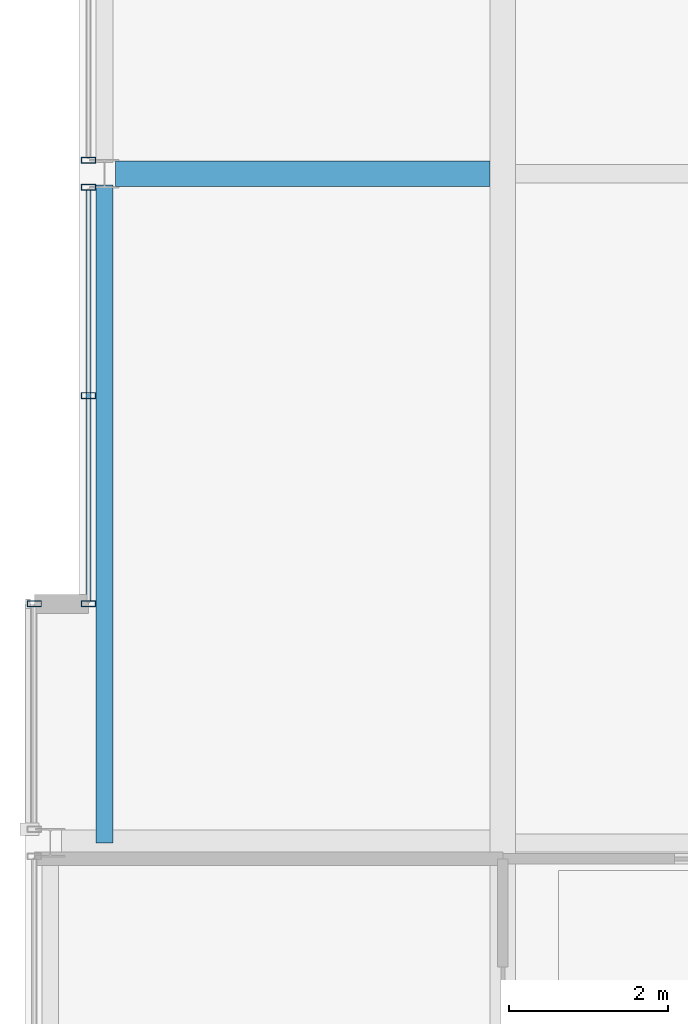
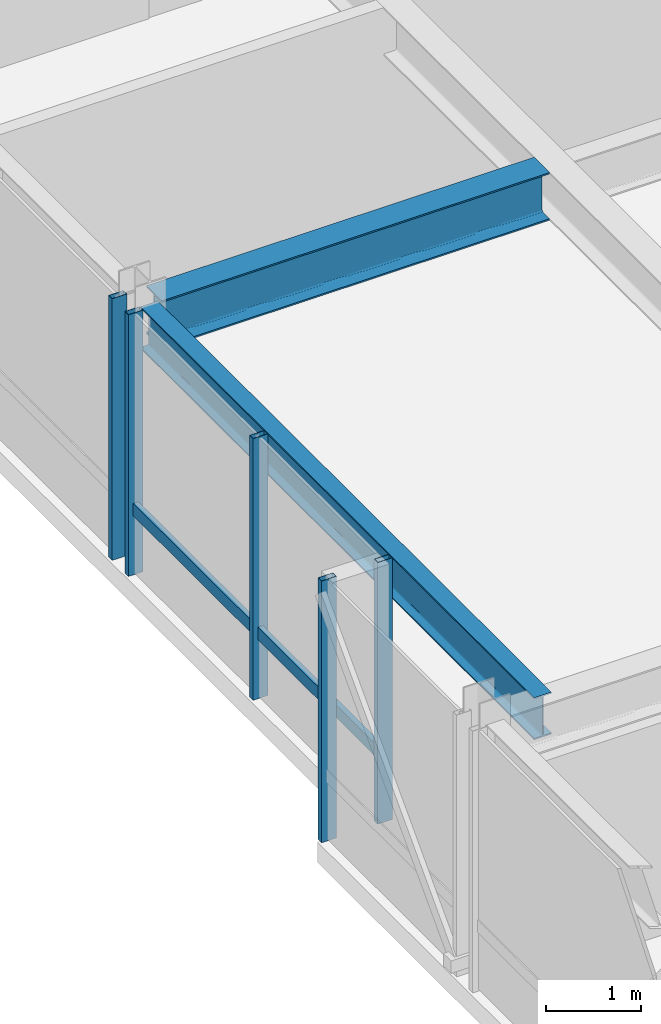
# One storey, part 11 of 34: 6 members, 2 beams, 3 elements without a shape of their own.
"""IFC4 building model written with IfcOpenShell, lengths in metres."""

from ifc_helpers import new_model, si_unit, direction, frame, origin, origin_2d, place, context, subcontext, project, spatial, hollow_rectangle, i_section, extrude, material, layer, layer_set, material_profile, profile_set, type_object, element, aggregate, save


model = new_model("IFC4")

# Units and contexts
model_context = context("Model", 3, precision=1e-05, world=origin(), true_north=direction((0.0, 1.0)))
body_context = subcontext(model_context, "Body", "Model", "MODEL_VIEW")
ifc_project = project(units=[si_unit("LENGTHUNIT", "METRE"), si_unit("AREAUNIT", "SQUARE_METRE"), si_unit("VOLUMEUNIT", "CUBIC_METRE"), si_unit("PLANEANGLEUNIT", "RADIAN"), si_unit("MASSUNIT", "GRAM", prefix="KILO")], contexts=[model_context])

# Site, building, storey
site_placement = place(None, origin())
site = spatial("IfcSite", under=ifc_project, at=site_placement, CompositionType="ELEMENT")
building_placement = place(site_placement, origin())
building = spatial("IfcBuilding", under=site, at=building_placement, Name="Drelvath Grand Hotel", CompositionType="ELEMENT")
storey_placement = place(building_placement, frame((0.0, 0.0, 290.550048828125)))
storey = spatial("IfcBuildingStorey", under=building, at=storey_placement, Name="L76", CompositionType="ELEMENT", Elevation=290.550048828125)

# Curtain wall, member
ifc_material_1 = material(Name="Platinum-Mist Anodised Aluminium Frame", Category="aluminium")
ifc_layer = layer(ifc_material_1, 0.199951171875)
ifc_layer_set = layer_set([ifc_layer], Name="Platinum-Mist Anodised Aluminium Frame")
curtain_wall_type = type_object("IfcCurtainWallType", Name="Stick Curtain Wall CW-05 Platinum Mist High-Rise", PredefinedType="NOTDEFINED", material=ifc_layer_set)
curtain_wall_1_placement = place(storey_placement, origin())
curtain_wall_1 = element("IfcCurtainWall", 1, at=curtain_wall_1_placement, inside=storey, type_object=curtain_wall_type, Name="L76 CW-05 Curtain Wall CW05-L76-WM1", PredefinedType="NOTDEFINED")
ifc_material_profile_1 = material_profile(ifc_material_1, hollow_rectangle(XDim=0.06494140625, YDim=0.159912109375, WallThickness=0.00390625, at=origin_2d()), Name="HSS160X65X4")
ifc_profile_set_1 = profile_set([ifc_material_profile_1], Name="Platinum-Mist Anodised Aluminium Frame")
member_type_1 = type_object("IfcMemberType", Name="Curtain Wall Horizontal Transom CW-05 HSS160X65X4", PredefinedType="USERDEFINED", material=ifc_profile_set_1)
member_1_placement = place(storey_placement, frame((-21.39990234375, 21.639892578125, 0.83740234375), z_axis=(0.0, 1.0, 0.0), x_axis=(-1.0, 0.0, 0.0)))
member_1 = element("IfcMember", 2, at=member_1_placement, type_object=member_type_1, Name="CW05-L76-WM1 Sill Transom", ObjectType="TRANSOM", PredefinedType="USERDEFINED", context=body_context, shape_type="SweptSolid", body=[
    extrude(hollow_rectangle(XDim=0.06494140625, YDim=0.159912109375, WallThickness=0.00390625, at=origin_2d()), origin(), (0.0, 0.0, 1.0), 5.150146484375),
])

curtain_wall_2_placement = place(storey_placement, origin())
curtain_wall_2 = element("IfcCurtainWall", 3, at=curtain_wall_2_placement, inside=storey, type_object=curtain_wall_type, Name="L76 CW-05 Curtain Wall CW05-L76-WS2", PredefinedType="NOTDEFINED")
ifc_material_profile_2 = material_profile(ifc_material_1, hollow_rectangle(XDim=0.074951171875, YDim=0.179931640625, WallThickness=0.0048828125, at=origin_2d()), Name="HSS180X75X5")
ifc_profile_set_2 = profile_set([ifc_material_profile_2], Name="Platinum-Mist Anodised Aluminium Frame")
member_type_2 = type_object("IfcMemberType", Name="Curtain Wall Vertical Mullion CW-05 HSS180X75X5", PredefinedType="MULLION", material=ifc_profile_set_2)
member_2_placement = place(storey_placement, frame((-22.080078125, 21.60009765625, 0.0), z_axis=(0.0, 0.0, 1.0), x_axis=(0.0, 1.0, 0.0)))
member_2 = element("IfcMember", 4, at=member_2_placement, type_object=member_type_2, Name="CW05-L76-WS2 Mullion 2", PredefinedType="MULLION", context=body_context, shape_type="SweptSolid", body=[
    extrude(hollow_rectangle(XDim=0.074951171875, YDim=0.179931640625, WallThickness=0.0048828125, at=origin_2d()), origin(), (0.0, 0.0, 1.0), 3.349853515625),
])
aggregate(curtain_wall_2, [member_2])

# Member
member_3_placement = place(storey_placement, frame((-21.39990234375, 21.60009765625, 0.0), z_axis=(0.0, 0.0, 1.0), x_axis=(0.0, 1.0, 0.0)))
member_3 = element("IfcMember", 5, at=member_3_placement, type_object=member_type_2, Name="CW05-L76-WM1 Mullion 1", PredefinedType="MULLION", context=body_context, shape_type="SweptSolid", body=[
    extrude(hollow_rectangle(XDim=0.074951171875, YDim=0.179931640625, WallThickness=0.0048828125, at=origin_2d()), origin(), (0.0, 0.0, 1.0), 3.349853515625),
])

member_4_placement = place(storey_placement, frame((-21.39990234375, 24.215087890625, 0.0), z_axis=(0.0, 0.0, 1.0), x_axis=(0.0, 1.0, 0.0)))
member_4 = element("IfcMember", 6, at=member_4_placement, type_object=member_type_2, Name="CW05-L76-WM1 Mullion 2", PredefinedType="MULLION", context=body_context, shape_type="SweptSolid", body=[
    extrude(hollow_rectangle(XDim=0.074951171875, YDim=0.179931640625, WallThickness=0.0048828125, at=origin_2d()), origin(), (0.0, 0.0, 1.0), 3.349853515625),
])

member_5_placement = place(storey_placement, frame((-21.39990234375, 26.830078125, 0.0), z_axis=(0.0, 0.0, 1.0), x_axis=(0.0, 1.0, 0.0)))
member_5 = element("IfcMember", 7, at=member_5_placement, type_object=member_type_2, Name="CW05-L76-WM1 Mullion 3", PredefinedType="MULLION", context=body_context, shape_type="SweptSolid", body=[
    extrude(hollow_rectangle(XDim=0.074951171875, YDim=0.179931640625, WallThickness=0.0048828125, at=origin_2d()), origin(), (0.0, 0.0, 1.0), 3.349853515625),
])

aggregate(curtain_wall_1, [member_3, member_4, member_5, member_1])

# Curtain wall, member
curtain_wall_3_placement = place(storey_placement, origin())
curtain_wall_3 = element("IfcCurtainWall", 8, at=curtain_wall_3_placement, inside=storey, type_object=curtain_wall_type, Name="L76 CW-05 Curtain Wall CW05-L76-WM2", PredefinedType="NOTDEFINED")
member_6_placement = place(storey_placement, frame((-21.39990234375, 27.169921875, 0.0), z_axis=(0.0, 0.0, 1.0), x_axis=(0.0, 1.0, 0.0)))
member_6 = element("IfcMember", 9, at=member_6_placement, type_object=member_type_2, Name="CW05-L76-WM2 Mullion 1", PredefinedType="MULLION", context=body_context, shape_type="SweptSolid", body=[
    extrude(hollow_rectangle(XDim=0.074951171875, YDim=0.179931640625, WallThickness=0.0048828125, at=origin_2d()), origin(), (0.0, 0.0, 1.0), 3.349853515625),
])
aggregate(curtain_wall_3, [member_6])

# Beams
ifc_material_2 = material(Name="Steel ASTM A992 Gr 50", Category="steel")
ifc_material_profile_3 = material_profile(ifc_material_2, i_section(OverallWidth=0.210205078125, OverallDepth=0.53662109375, WebThickness=0.010986328125, FlangeThickness=0.017333984375, FilletRadius=0.01806640625, at=origin_2d()), Name="W21X68")
ifc_profile_set_3 = profile_set([ifc_material_profile_3], Name="Steel ASTM A992 Gr 50")
beam_type_1 = type_object("IfcBeamType", Name="Perimeter Spandrel Beam W21X68", PredefinedType="SPANDREL", material=ifc_profile_set_3)
beam_1_placement = place(storey_placement, frame((-21.199951171875, 18.60009765625, 3.08154296875), z_axis=(0.0, 1.0, 0.0), x_axis=(-1.0, 0.0, 0.0)))
element("IfcBeam", 10, at=beam_1_placement, inside=storey, type_object=beam_type_1, Name="L76 Spandrel West Mid S", PredefinedType="SPANDREL", context=body_context, shape_type="SweptSolid", body=[
    extrude(i_section(OverallWidth=0.210205078125, OverallDepth=0.53662109375, WebThickness=0.010986328125, FlangeThickness=0.017333984375, FilletRadius=0.01806640625, at=origin_2d()), origin(), (0.0, 0.0, 1.0), 8.260009765625),
])
ifc_material_profile_4 = material_profile(ifc_material_2, i_section(OverallWidth=0.323974609375, OverallDepth=0.611083984375, WebThickness=0.0126953125, FlangeThickness=0.01904296875, FilletRadius=0.02197265625, at=origin_2d()), Name="W24X104")
ifc_profile_set_4 = profile_set([ifc_material_profile_4], Name="Steel ASTM A992 Gr 50")
beam_type_2 = type_object("IfcBeamType", Name="Primary Floor Girder W24X104", PredefinedType="BEAM", material=ifc_profile_set_4)
beam_2_placement = place(storey_placement, frame((-21.06005859375, 27.0, 3.04443359375), z_axis=(1.0, 0.0, 0.0), x_axis=(0.0, 1.0, 0.0)))
element("IfcBeam", 11, at=beam_2_placement, inside=storey, type_object=beam_type_2, Name="L76 West Wing Girder E", PredefinedType="BEAM", context=body_context, shape_type="SweptSolid", body=[
    extrude(i_section(OverallWidth=0.323974609375, OverallDepth=0.611083984375, WebThickness=0.0126953125, FlangeThickness=0.01904296875, FilletRadius=0.02197265625, at=origin_2d()), origin(), (0.0, 0.0, 1.0), 4.697998046875),
])

save(model, "model.ifc")
